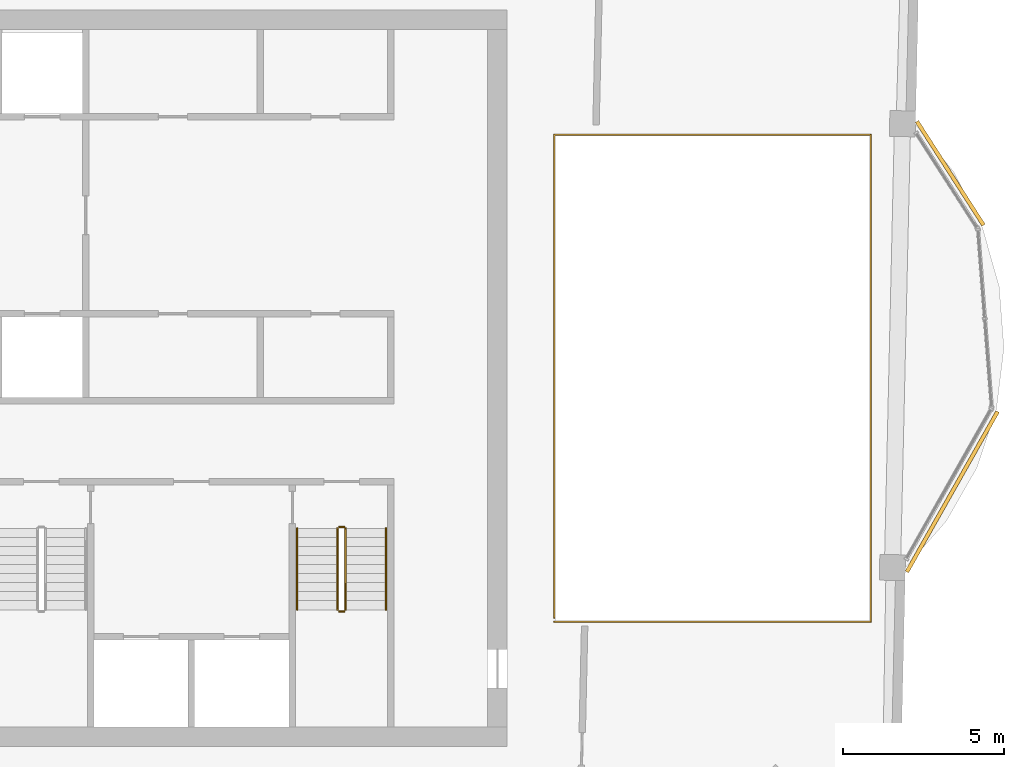
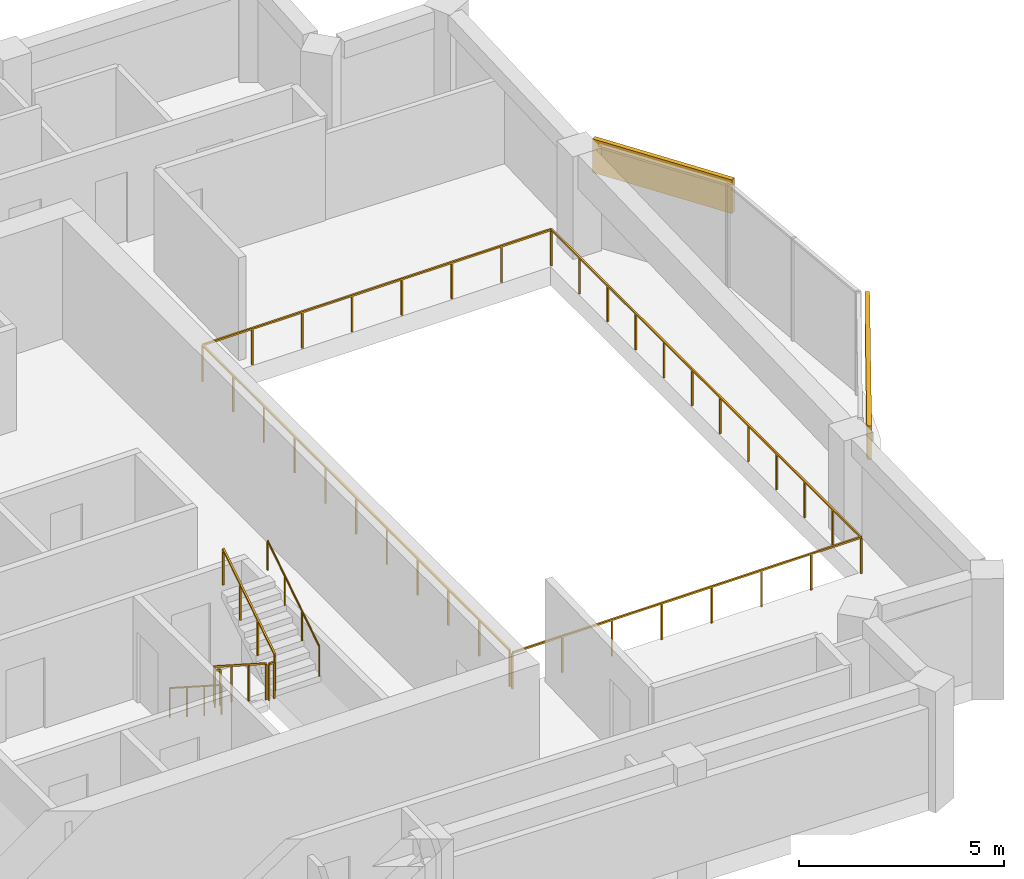
# One storey, part 12 of 12: 7 railings, 2 coverings.
"""IFC4 building model written with IfcOpenShell, lengths in metres."""

from ifc_helpers import new_model, si_unit, direction, frame, frame_2d, origin, origin_2d, place, context, subcontext, project, spatial, rectangle, circle, extrude, material, layer, layer_set, type_object, element, save


model = new_model("IFC4")

# Units and contexts
model_context = context("Model", 3, precision=1e-05, world=origin(), true_north=direction((0.0, 1.0)))
body_context = subcontext(model_context, "Body", "Model", "MODEL_VIEW")
ifc_project = project(units=[si_unit("LENGTHUNIT", "METRE"), si_unit("AREAUNIT", "SQUARE_METRE"), si_unit("VOLUMEUNIT", "CUBIC_METRE"), si_unit("PLANEANGLEUNIT", "RADIAN"), si_unit("MASSUNIT", "GRAM", prefix="KILO")], contexts=[model_context])

# Site, building, storey
site_placement = place(None, origin())
site = spatial("IfcSite", under=ifc_project, at=site_placement, CompositionType="ELEMENT")
building_placement = place(site_placement, origin())
building = spatial("IfcBuilding", under=site, at=building_placement, Name="Mangrove Gate Tower", CompositionType="ELEMENT")
storey_placement = place(building_placement, frame((0.0, 0.0, 350.699951171875)))
storey = spatial("IfcBuildingStorey", under=building, at=storey_placement, Name="L89", CompositionType="ELEMENT", Elevation=350.699951171875)

# Railings
ifc_material_1 = material(Name="Stainless steel grade 316 with laminated glass infill", Category="steel")
railing_type_1 = type_object("IfcRailingType", Name="Balcony guard 1100", PredefinedType="GUARDRAIL", material=ifc_material_1)
railing_1_placement = place(storey_placement, frame((15.860107421875, -7.5400390625, 0.0)))
element("IfcRailing", 1, at=railing_1_placement, inside=storey, type_object=railing_type_1, Name="GUARD L89 atrium", PredefinedType="GUARDRAIL", context=body_context, shape_type="SweptSolid", body=[
    extrude(rectangle(XDim=0.048095703125, YDim=0.048095703125, at=origin_2d()), frame((0.0, 0.0, 1.076171875), z_axis=(1.0, 0.0, 0.0), x_axis=(0.0, 1.0, 0.0)), (0.0, 0.0, 1.0), 9.802978515625),
    extrude(rectangle(XDim=0.048095703125, YDim=0.048095703125, at=origin_2d()), frame((9.802978515625, 0.0, 1.076171875), z_axis=(0.0, 1.0, 0.0), x_axis=(-1.0, 0.0, 0.0)), (0.0, 0.0, 1.0), 15.080078125),
    extrude(rectangle(XDim=0.048095703125, YDim=0.048095703125, at=origin_2d()), frame((9.802978515625, 15.080078125, 1.076171875), z_axis=(-1.0, 0.0, 0.0), x_axis=(0.0, -1.0, 0.0)), (0.0, 0.0, 1.0), 9.802978515625),
    extrude(rectangle(XDim=0.048095703125, YDim=0.048095703125, at=origin_2d()), frame((0.0, 15.080078125, 1.076171875), z_axis=(0.0, -1.0, 0.0), x_axis=(1.0, 0.0, 0.0)), (0.0, 0.0, 1.0), 14.9599609375),
    extrude(rectangle(XDim=0.0419921875, YDim=0.0419921875, at=origin_2d()), origin(), (0.0, 0.0, 1.0), 1.052001953125),
    extrude(rectangle(XDim=0.0419921875, YDim=0.0419921875, at=origin_2d()), frame((1.400390625, 0.0, 0.0)), (0.0, 0.0, 1.0), 1.052001953125),
    extrude(rectangle(XDim=0.0419921875, YDim=0.0419921875, at=origin_2d()), frame((2.80078125, 0.0, 0.0)), (0.0, 0.0, 1.0), 1.052001953125),
    extrude(rectangle(XDim=0.0419921875, YDim=0.0419921875, at=origin_2d()), frame((4.201171875, 0.0, 0.0)), (0.0, 0.0, 1.0), 1.052001953125),
    extrude(rectangle(XDim=0.0419921875, YDim=0.0419921875, at=origin_2d()), frame((5.601806640625, 0.0, 0.0)), (0.0, 0.0, 1.0), 1.052001953125),
    extrude(rectangle(XDim=0.0419921875, YDim=0.0419921875, at=origin_2d()), frame((7.002197265625, 0.0, 0.0)), (0.0, 0.0, 1.0), 1.052001953125),
    extrude(rectangle(XDim=0.0419921875, YDim=0.0419921875, at=origin_2d()), frame((8.402587890625, 0.0, 0.0)), (0.0, 0.0, 1.0), 1.052001953125),
    extrude(rectangle(XDim=0.0419921875, YDim=0.0419921875, at=origin_2d()), frame((9.802978515625, 0.0, 0.0)), (0.0, 0.0, 1.0), 1.052001953125),
    extrude(rectangle(XDim=0.0419921875, YDim=0.0419921875, at=origin_2d()), frame((9.802978515625, 1.370849609375, 0.0)), (0.0, 0.0, 1.0), 1.052001953125),
    extrude(rectangle(XDim=0.0419921875, YDim=0.0419921875, at=origin_2d()), frame((9.802978515625, 2.741943359375, 0.0)), (0.0, 0.0, 1.0), 1.052001953125),
    extrude(rectangle(XDim=0.0419921875, YDim=0.0419921875, at=origin_2d()), frame((9.802978515625, 4.11279296875, 0.0)), (0.0, 0.0, 1.0), 1.052001953125),
    extrude(rectangle(XDim=0.0419921875, YDim=0.0419921875, at=origin_2d()), frame((9.802978515625, 5.483642578125, 0.0)), (0.0, 0.0, 1.0), 1.052001953125),
    extrude(rectangle(XDim=0.0419921875, YDim=0.0419921875, at=origin_2d()), frame((9.802978515625, 6.8544921875, 0.0)), (0.0, 0.0, 1.0), 1.052001953125),
    extrude(rectangle(XDim=0.0419921875, YDim=0.0419921875, at=origin_2d()), frame((9.802978515625, 8.2255859375, 0.0)), (0.0, 0.0, 1.0), 1.052001953125),
    extrude(rectangle(XDim=0.0419921875, YDim=0.0419921875, at=origin_2d()), frame((9.802978515625, 9.596435546875, 0.0)), (0.0, 0.0, 1.0), 1.052001953125),
    extrude(rectangle(XDim=0.0419921875, YDim=0.0419921875, at=origin_2d()), frame((9.802978515625, 10.96728515625, 0.0)), (0.0, 0.0, 1.0), 1.052001953125),
    extrude(rectangle(XDim=0.0419921875, YDim=0.0419921875, at=origin_2d()), frame((9.802978515625, 12.338134765625, 0.0)), (0.0, 0.0, 1.0), 1.052001953125),
    extrude(rectangle(XDim=0.0419921875, YDim=0.0419921875, at=origin_2d()), frame((9.802978515625, 13.709228515625, 0.0)), (0.0, 0.0, 1.0), 1.052001953125),
    extrude(rectangle(XDim=0.0419921875, YDim=0.0419921875, at=origin_2d()), frame((9.802978515625, 15.080078125, 0.0)), (0.0, 0.0, 1.0), 1.052001953125),
    extrude(rectangle(XDim=0.0419921875, YDim=0.0419921875, at=origin_2d()), frame((8.402587890625, 15.080078125, 0.0)), (0.0, 0.0, 1.0), 1.052001953125),
    extrude(rectangle(XDim=0.0419921875, YDim=0.0419921875, at=origin_2d()), frame((7.002197265625, 15.080078125, 0.0)), (0.0, 0.0, 1.0), 1.052001953125),
    extrude(rectangle(XDim=0.0419921875, YDim=0.0419921875, at=origin_2d()), frame((5.601806640625, 15.080078125, 0.0)), (0.0, 0.0, 1.0), 1.052001953125),
    extrude(rectangle(XDim=0.0419921875, YDim=0.0419921875, at=origin_2d()), frame((4.201171875, 15.080078125, 0.0)), (0.0, 0.0, 1.0), 1.052001953125),
    extrude(rectangle(XDim=0.0419921875, YDim=0.0419921875, at=origin_2d()), frame((2.80078125, 15.080078125, 0.0)), (0.0, 0.0, 1.0), 1.052001953125),
    extrude(rectangle(XDim=0.0419921875, YDim=0.0419921875, at=origin_2d()), frame((1.400390625, 15.080078125, 0.0)), (0.0, 0.0, 1.0), 1.052001953125),
    extrude(rectangle(XDim=0.0419921875, YDim=0.0419921875, at=origin_2d()), frame((0.0, 15.080078125, 0.0)), (0.0, 0.0, 1.0), 1.052001953125),
    extrude(rectangle(XDim=0.0419921875, YDim=0.0419921875, at=origin_2d()), frame((0.0, 13.583984375, 0.0)), (0.0, 0.0, 1.0), 1.052001953125),
    extrude(rectangle(XDim=0.0419921875, YDim=0.0419921875, at=origin_2d()), frame((0.0, 12.088134765625, 0.0)), (0.0, 0.0, 1.0), 1.052001953125),
    extrude(rectangle(XDim=0.0419921875, YDim=0.0419921875, at=origin_2d()), frame((0.0, 10.592041015625, 0.0)), (0.0, 0.0, 1.0), 1.052001953125),
    extrude(rectangle(XDim=0.0419921875, YDim=0.0419921875, at=origin_2d()), frame((0.0, 9.09619140625, 0.0)), (0.0, 0.0, 1.0), 1.052001953125),
    extrude(rectangle(XDim=0.0419921875, YDim=0.0419921875, at=origin_2d()), frame((0.0, 7.60009765625, 0.0)), (0.0, 0.0, 1.0), 1.052001953125),
    extrude(rectangle(XDim=0.0419921875, YDim=0.0419921875, at=origin_2d()), frame((0.0, 6.10400390625, 0.0)), (0.0, 0.0, 1.0), 1.052001953125),
    extrude(rectangle(XDim=0.0419921875, YDim=0.0419921875, at=origin_2d()), frame((0.0, 4.608154296875, 0.0)), (0.0, 0.0, 1.0), 1.052001953125),
    extrude(rectangle(XDim=0.0419921875, YDim=0.0419921875, at=origin_2d()), frame((0.0, 3.112060546875, 0.0)), (0.0, 0.0, 1.0), 1.052001953125),
    extrude(rectangle(XDim=0.0419921875, YDim=0.0419921875, at=origin_2d()), frame((0.0, 1.6162109375, 0.0)), (0.0, 0.0, 1.0), 1.052001953125),
    extrude(rectangle(XDim=0.0419921875, YDim=0.0419921875, at=origin_2d()), frame((0.0, 0.1201171875, 0.0)), (0.0, 0.0, 1.0), 1.052001953125),
])
ifc_material_2 = material(Name="Stainless steel 316", Category="steel")
railing_type_2 = type_object("IfcRailingType", Name="Core stair guard 1100", PredefinedType="GUARDRAIL", material=ifc_material_2)
railing_2_placement = place(storey_placement, frame((9.14990234375, -4.64990234375, 0.179931640625)))
element("IfcRailing", 2, at=railing_2_placement, inside=storey, type_object=railing_type_2, Name="L89 ST3 stair guard 1", PredefinedType="GUARDRAIL", context=body_context, shape_type="SweptSolid", body=[
    extrude(rectangle(XDim=0.048095703125, YDim=0.048095703125, at=origin_2d()), frame((0.0, 0.0, 1.076171875), z_axis=(0.0, -0.841162588446, 0.540782303519), x_axis=(1.0, 0.0, 0.0)), (0.0, 0.0, 1.0), 2.995849609375),
    extrude(rectangle(XDim=0.0419921875, YDim=0.0419921875, at=origin_2d()), origin(), (0.0, 0.0, 1.0), 1.052001953125),
    extrude(rectangle(XDim=0.0419921875, YDim=0.0419921875, at=origin_2d()), frame((0.0, -0.840087890625, 0.5400390625)), (0.0, 0.0, 1.0), 1.052001953125),
    extrude(rectangle(XDim=0.0419921875, YDim=0.0419921875, at=origin_2d()), frame((0.0, -1.679931640625, 1.080078125)), (0.0, 0.0, 1.0), 1.052001953125),
    extrude(rectangle(XDim=0.0419921875, YDim=0.0419921875, at=origin_2d()), frame((0.0, -2.52001953125, 1.6201171875)), (0.0, 0.0, 1.0), 1.052001953125),
])
railing_3_placement = place(storey_placement, frame((9.199951171875, -7.219970703125, 1.800048828125)))
element("IfcRailing", 3, at=railing_3_placement, inside=storey, type_object=railing_type_2, Name="L89 ST3 stair guard 2", PredefinedType="GUARDRAIL", context=body_context, shape_type="SweptSolid", body=[
    extrude(rectangle(XDim=0.048095703125, YDim=0.048095703125, at=origin_2d()), frame((0.0, 0.0, 1.076171875), z_axis=(1.0, 0.0, 0.0), x_axis=(0.0, 1.0, 0.0)), (0.0, 0.0, 1.0), 0.150146484375),
    extrude(rectangle(XDim=0.0419921875, YDim=0.0419921875, at=origin_2d()), origin(), (0.0, 0.0, 1.0), 1.052001953125),
    extrude(rectangle(XDim=0.0419921875, YDim=0.0419921875, at=origin_2d()), frame((0.150146484375, 0.0, 0.0)), (0.0, 0.0, 1.0), 1.052001953125),
])
railing_4_placement = place(storey_placement, frame((9.39990234375, -7.169921875, 1.97998046875)))
element("IfcRailing", 4, at=railing_4_placement, inside=storey, type_object=railing_type_2, Name="L89 ST3 stair guard 3", PredefinedType="GUARDRAIL", context=body_context, shape_type="SweptSolid", body=[
    extrude(rectangle(XDim=0.048095703125, YDim=0.048095703125, at=origin_2d()), frame((0.0, 0.0, 1.076171875), z_axis=(0.0, 0.841162588446, 0.540782303519), x_axis=(-1.0, 0.0, 0.0)), (0.0, 0.0, 1.0), 2.995849609375),
    extrude(rectangle(XDim=0.0419921875, YDim=0.0419921875, at=origin_2d()), origin(), (0.0, 0.0, 1.0), 1.052001953125),
    extrude(rectangle(XDim=0.0419921875, YDim=0.0419921875, at=origin_2d()), frame((0.0, 0.840087890625, 0.5400390625)), (0.0, 0.0, 1.0), 1.052001953125),
    extrude(rectangle(XDim=0.0419921875, YDim=0.0419921875, at=origin_2d()), frame((0.0, 1.679931640625, 1.080078125)), (0.0, 0.0, 1.0), 1.052001953125),
    extrude(rectangle(XDim=0.0419921875, YDim=0.0419921875, at=origin_2d()), frame((0.0, 2.52001953125, 1.6201171875)), (0.0, 0.0, 1.0), 1.052001953125),
])
railing_5_placement = place(storey_placement, frame((9.199951171875, -4.60009765625, 0.0)))
element("IfcRailing", 5, at=railing_5_placement, inside=storey, type_object=railing_type_2, Name="L89 ST3 stair guard 4", PredefinedType="GUARDRAIL", context=body_context, shape_type="SweptSolid", body=[
    extrude(rectangle(XDim=0.048095703125, YDim=0.048095703125, at=origin_2d()), frame((0.0, 0.0, 1.076171875), z_axis=(1.0, 0.0, 0.0), x_axis=(0.0, 1.0, 0.0)), (0.0, 0.0, 1.0), 0.150146484375),
    extrude(rectangle(XDim=0.0419921875, YDim=0.0419921875, at=origin_2d()), origin(), (0.0, 0.0, 1.0), 1.052001953125),
    extrude(rectangle(XDim=0.0419921875, YDim=0.0419921875, at=origin_2d()), frame((0.150146484375, 0.0, 0.0)), (0.0, 0.0, 1.0), 1.052001953125),
])
ifc_material_3 = material(Name="Stainless steel 316", Category="steel")
railing_type_3 = type_object("IfcRailingType", Name="Core stair handrail 900", PredefinedType="HANDRAIL", material=ifc_material_3)
railing_6_placement = place(storey_placement, frame((7.89990234375, -4.64990234375, 0.179931640625)))
element("IfcRailing", 6, at=railing_6_placement, inside=storey, type_object=railing_type_3, Name="L89 ST3 stair handrail 1", PredefinedType="HANDRAIL", context=body_context, shape_type="SweptSolid", body=[
    extrude(circle(Radius=0.02392578125, at=origin_2d()), frame((0.0, 0.0, 0.8759765625), z_axis=(0.0, -0.841162588446, 0.540782303519), x_axis=(1.0, 0.0, 0.0)), (0.0, 0.0, 1.0), 2.995849609375),
    extrude(circle(Radius=0.02099609375, at=origin_2d()), origin(), (0.0, 0.0, 1.0), 0.851806640625),
    extrude(circle(Radius=0.02099609375, at=origin_2d()), frame((0.0, -0.840087890625, 0.5400390625)), (0.0, 0.0, 1.0), 0.851806640625),
    extrude(circle(Radius=0.02099609375, at=origin_2d()), frame((0.0, -1.679931640625, 1.080078125)), (0.0, 0.0, 1.0), 0.851806640625),
    extrude(circle(Radius=0.02099609375, at=origin_2d()), frame((0.0, -2.52001953125, 1.6201171875)), (0.0, 0.0, 1.0), 0.851806640625),
])
railing_7_placement = place(storey_placement, frame((10.64990234375, -7.169921875, 1.97998046875)))
element("IfcRailing", 7, at=railing_7_placement, inside=storey, type_object=railing_type_3, Name="L89 ST3 stair handrail 2", PredefinedType="HANDRAIL", context=body_context, shape_type="SweptSolid", body=[
    extrude(circle(Radius=0.02392578125, at=origin_2d()), frame((0.0, 0.0, 0.8759765625), z_axis=(0.0, 0.841162588446, 0.540782303519), x_axis=(-1.0, 0.0, 0.0)), (0.0, 0.0, 1.0), 2.995849609375),
    extrude(circle(Radius=0.02099609375, at=origin_2d()), origin(), (0.0, 0.0, 1.0), 0.851806640625),
    extrude(circle(Radius=0.02099609375, at=origin_2d()), frame((0.0, 0.840087890625, 0.5400390625)), (0.0, 0.0, 1.0), 0.851806640625),
    extrude(circle(Radius=0.02099609375, at=origin_2d()), frame((0.0, 1.679931640625, 1.080078125)), (0.0, 0.0, 1.0), 0.851806640625),
    extrude(circle(Radius=0.02099609375, at=origin_2d()), frame((0.0, 2.52001953125, 1.6201171875)), (0.0, 0.0, 1.0), 0.851806640625),
])

# Coverings
ifc_material_4 = material(Name="Limestone", Category="masonry")
ifc_layer_1 = layer(ifc_material_4, 0.0400390625, Name="Limestone cladding")
ifc_material_5 = material(Name="Stainless steel anchors and cavity", Category="steel")
ifc_layer_2 = layer(ifc_material_5, 0.080078125, Name="Fixing cavity")
ifc_layer_set = layer_set([ifc_layer_1, ifc_layer_2], Name="Joint fascia cladding 120")
covering_type = type_object("IfcCoveringType", Name="Joint fascia cladding 120", PredefinedType="CLADDING", material=ifc_layer_set)
covering_1_placement = place(storey_placement, frame((26.7841796875, -5.99560546875, 2.050048828125), z_axis=(0.0, 0.0, 1.0), x_axis=(0.49255357575, 0.870282123806, 0.0)))
element("IfcCovering", 8, at=covering_1_placement, inside=storey, type_object=covering_type, Name="STONE FASCIA L89 E1.L1", PredefinedType="CLADDING", context=body_context, shape_type="SweptSolid", body=[
    extrude(rectangle(XDim=5.70458984375, YDim=0.1201171875, at=frame_2d((2.852294921875, 0.0))), origin(), (0.0, 0.0, 1.0), 1.0),
])
covering_2_placement = place(storey_placement, frame((29.158935546875, 4.742919921875, 2.050048828125), z_axis=(0.0, 0.0, 1.0), x_axis=(-0.540573367362, 0.841296876554, 0.0)))
element("IfcCovering", 9, at=covering_2_placement, inside=storey, type_object=covering_type, Name="STONE FASCIA L89 E1.L2", PredefinedType="CLADDING", context=body_context, shape_type="SweptSolid", body=[
    extrude(rectangle(XDim=3.818115234375, YDim=0.1201171875, at=frame_2d((1.9091796875, 0.0))), origin(), (0.0, 0.0, 1.0), 1.0),
])

save(model, "model.ifc")
